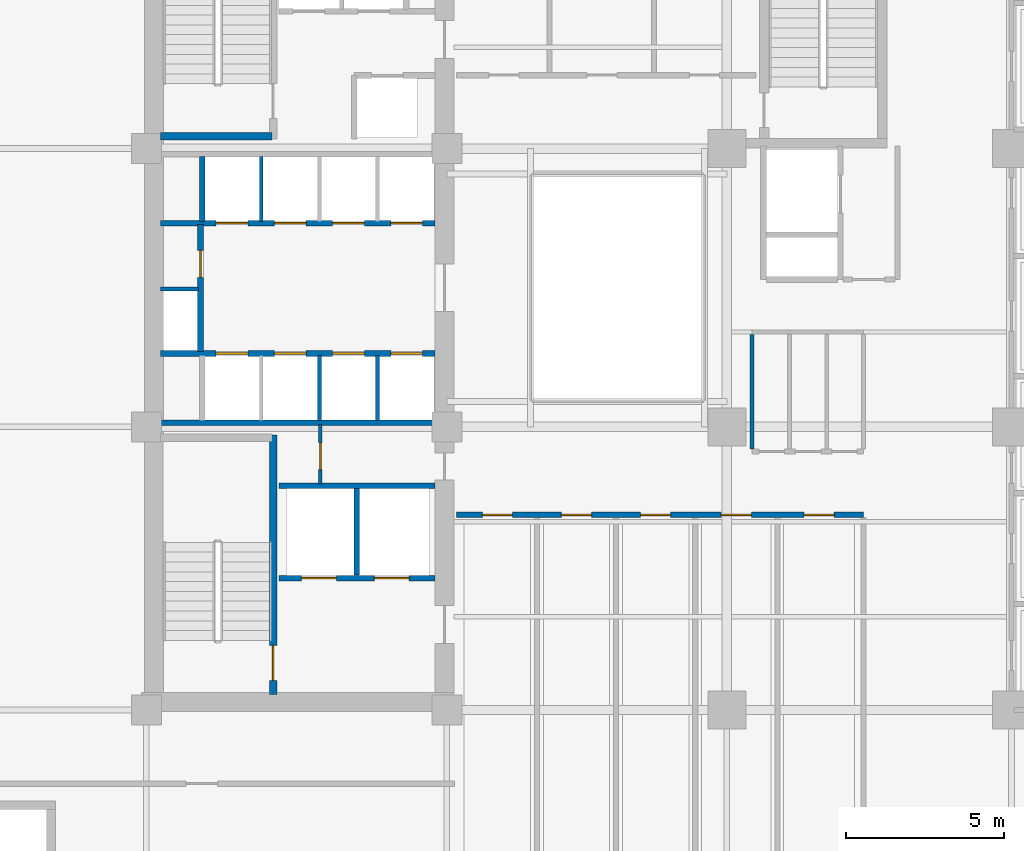
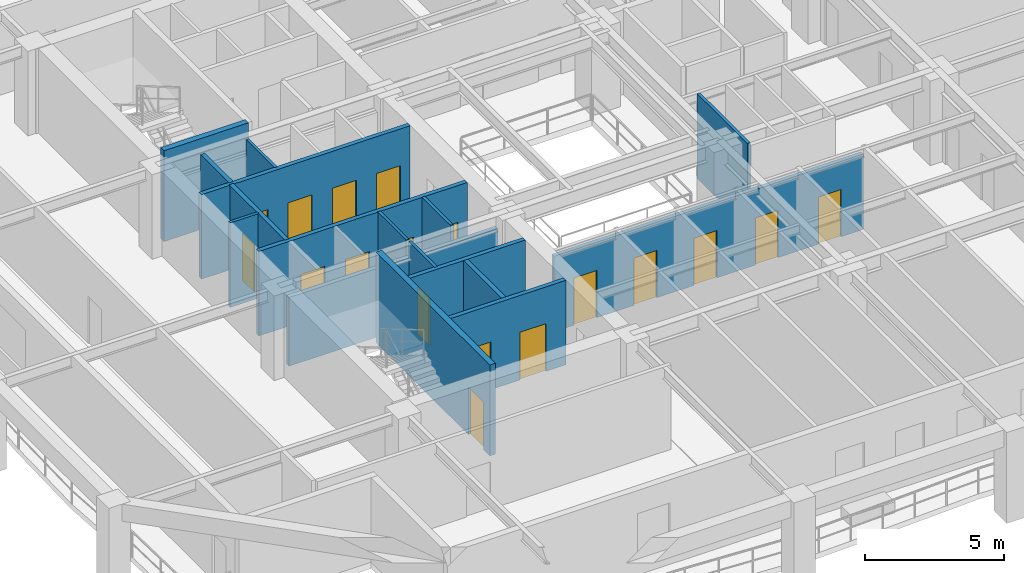
# One storey, part 3 of 13: 18 doors, 17 walls, 18 openings.
"""IFC4 building model written with IfcOpenShell, lengths in metres."""

from ifc_helpers import new_model, si_unit, direction, frame, frame_2d, origin, place, context, subcontext, project, spatial, rectangle, extrude, material, layer, layer_set, type_object, element, fill, save


model = new_model("IFC4")

# Units and contexts
model_context = context("Model", 3, precision=1e-05, world=origin(), true_north=direction((0.0, 1.0)))
body_context = subcontext(model_context, "Body", "Model", "MODEL_VIEW")
ifc_project = project(units=[si_unit("LENGTHUNIT", "METRE"), si_unit("AREAUNIT", "SQUARE_METRE"), si_unit("VOLUMEUNIT", "CUBIC_METRE"), si_unit("PLANEANGLEUNIT", "RADIAN"), si_unit("MASSUNIT", "GRAM", prefix="KILO")], contexts=[model_context])

# Site, building, storey
site_placement = place(None, origin())
site = spatial("IfcSite", under=ifc_project, at=site_placement, CompositionType="ELEMENT")
building_placement = place(site_placement, origin())
building = spatial("IfcBuilding", under=site, at=building_placement, Name="Kundavana Baori Tower", CompositionType="ELEMENT")
storey_placement = place(building_placement, frame((0.0, 0.0, 62.0)))
storey = spatial("IfcBuildingStorey", under=building, at=storey_placement, Name="L14", CompositionType="ELEMENT", Elevation=62.0)

# Wall, opening, door
ifc_material_1 = material(Name="Concrete C50/60", Category="concrete")
ifc_layer_1 = layer(ifc_material_1, 0.39990234375, Name="WL-CORE-400")
ifc_layer_set_1 = layer_set([ifc_layer_1], Name="Concrete C50/60")
wall_type_1 = type_object("IfcWallType", Name="WL-CORE-400", PredefinedType="SHEAR", material=ifc_layer_set_1)
wall_1_placement = place(storey_placement, frame((19.4599609375, 15.739990234375, 0.0), z_axis=(0.0, 0.0, 1.0), x_axis=(0.0, 1.0, 0.0)))
wall_1 = element("IfcWall", 1, at=wall_1_placement, inside=storey, type_object=wall_type_1, Name="WL-L14-ST1-E", PredefinedType="SHEAR", context=body_context, shape_type="SweptSolid", body=[
    extrude(rectangle(XDim=8.199951171875, YDim=0.239990234375, at=frame_2d((4.10009765625, 0.0))), origin(), (0.0, 0.0, 1.0), 4.0),
])
opening_1_placement = place(wall_1_placement, frame((0.449951171875, 0.0, 0.0)))
opening_1 = element("IfcOpeningElement", 2, at=opening_1_placement, cuts=wall_1, Name="Opening FD-110", PredefinedType="OPENING", context=body_context, shape_type="SweptSolid", body=[
    extrude(rectangle(XDim=1.10009765625, YDim=2.10009765625, at=frame_2d((0.550048828125, 1.050048828125))), frame((0.0, 0.1298828125, 0.0), z_axis=(0.0, -1.0, 0.0), x_axis=(1.0, 0.0, 0.0)), (0.0, 0.0, 1.0), 0.260009765625),
])
ifc_material_2 = material(Name="Galvanised Steel Fire-Rated Door Leaf", Category="steel")
door_type_1 = type_object("IfcDoorType", Name="DR-FD120-1100", OperationType="NOTDEFINED", PredefinedType="DOOR", material=ifc_material_2)
door_1_placement = place(opening_1_placement, origin())
door_1 = element("IfcDoor", 3, at=door_1_placement, inside=storey, type_object=door_type_1, Name="DR-L14-ST1", OperationType="SINGLE_SWING_LEFT", OverallHeight=2.10009765625, OverallWidth=1.10009765625, PredefinedType="DOOR", context=body_context, shape_type="SweptSolid", body=[
    extrude(rectangle(XDim=1.10009765625, YDim=2.10009765625, at=frame_2d((0.550048828125, 1.050048828125))), frame((0.0, 0.02490234375, 0.0), z_axis=(0.0, -1.0, 0.0), x_axis=(1.0, 0.0, 0.0)), (0.0, 0.0, 1.0), 0.050048828125),
])
fill(opening_1, door_1)

# Wall
wall_2_placement = place(storey_placement, frame((15.89990234375, 33.389892578125, 0.0), z_axis=(0.0, 0.0, 1.0), x_axis=(1.0, 0.0, 0.0)))
element("IfcWall", 4, at=wall_2_placement, inside=storey, type_object=wall_type_1, Name="WL-L14-ST2-S", PredefinedType="SHEAR", context=body_context, shape_type="SweptSolid", body=[
    extrude(rectangle(XDim=3.52001953125, YDim=0.239990234375, at=frame_2d((1.760009765625, 0.0))), origin(), (0.0, 0.0, 1.0), 4.0),
])

# Wall, opening, door
ifc_material_3 = material(Name="Acoustic Gypsum Plasterboard on Galvanised Steel Studs", Category="steel")
ifc_layer_2 = layer(ifc_material_3, 0.1201171875, Name="WL-PART-120")
ifc_layer_set_2 = layer_set([ifc_layer_2], Name="Acoustic Gypsum Plasterboard on Galvanised Steel Studs")
wall_type_2 = type_object("IfcWallType", Name="WL-PART-120", PredefinedType="PARTITIONING", material=ifc_layer_set_2)
wall_3_placement = place(storey_placement, frame((20.949951171875, 22.39990234375, 0.0), z_axis=(0.0, 0.0, 1.0), x_axis=(0.0, 1.0, 0.0)))
wall_3 = element("IfcWall", 5, at=wall_3_placement, inside=storey, type_object=wall_type_2, Name="WL-L14-CSMK-D2", PredefinedType="PARTITIONING", context=body_context, shape_type="SweptSolid", body=[
    extrude(rectangle(XDim=1.880126953125, YDim=0.1201171875, at=frame_2d((0.93994140625, 0.0))), origin(), (0.0, 0.0, 1.0), 3.719970703125),
])
opening_2_placement = place(wall_3_placement, frame((0.449951171875, 0.0, 0.0)))
opening_2 = element("IfcOpeningElement", 6, at=opening_2_placement, cuts=wall_3, Name="Opening FD-085", PredefinedType="OPENING", context=body_context, shape_type="SweptSolid", body=[
    extrude(rectangle(XDim=0.85009765625, YDim=2.06005859375, at=frame_2d((0.425048828125, 1.030029296875))), frame((0.0, 0.070068359375, 0.0), z_axis=(0.0, -1.0, 0.0), x_axis=(1.0, 0.0, 0.0)), (0.0, 0.0, 1.0), 0.14013671875),
])
ifc_material_4 = material(Name="Galvanised Steel Fire-Rated Door Leaf", Category="steel")
door_type_2 = type_object("IfcDoorType", Name="DR-FD60-850", OperationType="NOTDEFINED", PredefinedType="DOOR", material=ifc_material_4)
door_2_placement = place(opening_2_placement, origin())
door_2 = element("IfcDoor", 7, at=door_2_placement, inside=storey, type_object=door_type_2, Name="DR-L14-CSMK1", OperationType="SINGLE_SWING_RIGHT", OverallHeight=2.06005859375, OverallWidth=0.85009765625, PredefinedType="DOOR", context=body_context, shape_type="SweptSolid", body=[
    extrude(rectangle(XDim=0.85009765625, YDim=2.06005859375, at=frame_2d((0.425048828125, 1.030029296875))), frame((0.0, 0.02490234375, 0.0), z_axis=(0.0, -1.0, 0.0), x_axis=(1.0, 0.0, 0.0)), (0.0, 0.0, 1.0), 0.050048828125),
])
fill(opening_2, door_2)

# Walls
for number, where, z_axis, x_axis, name in (
    (8, (20.919921875, 24.39990234375, 0.0), (0.0, 0.0, 1.0), (0.0, 1.0, 0.0), "WL-L14-LPLOW-D2"),
    (9, (22.760009765625, 24.39990234375, 0.0), (0.0, 0.0, 1.0), (0.0, 1.0, 0.0), "WL-L14-LPLOW-D3"),
):
    element("IfcWall", number, at=place(storey_placement, frame(where, z_axis=z_axis, x_axis=x_axis)), inside=storey, type_object=wall_type_2, Name=name, PredefinedType="PARTITIONING", context=body_context, shape_type="SweptSolid", body=[
        extrude(rectangle(XDim=2.050048828125, YDim=0.1201171875, at=frame_2d((1.02490234375, 0.0))), origin(), (0.0, 0.0, 1.0), 3.719970703125),
    ])
wall_4_placement = place(storey_placement, frame((15.89990234375, 28.56005859375, 0.0), z_axis=(0.0, 0.0, 1.0), x_axis=(1.0, 0.0, 0.0)))
element("IfcWall", 10, at=wall_4_placement, inside=storey, type_object=wall_type_2, Name="WL-L14-RSRW-N", PredefinedType="PARTITIONING", context=body_context, shape_type="SweptSolid", body=[
    extrude(rectangle(XDim=1.2001953125, YDim=0.1201171875, at=frame_2d((0.60009765625, 0.0))), origin(), (0.0, 0.0, 1.0), 3.719970703125),
])
wall_5_placement = place(storey_placement, frame((19.080078125, 30.699951171875, 0.0), z_axis=(0.0, 0.0, 1.0), x_axis=(0.0, 1.0, 0.0)))
element("IfcWall", 11, at=wall_5_placement, inside=storey, type_object=wall_type_2, Name="WL-L14-LPMID-D1", PredefinedType="PARTITIONING", context=body_context, shape_type="SweptSolid", body=[
    extrude(rectangle(XDim=2.050048828125, YDim=0.1201171875, at=frame_2d((1.02490234375, 0.0))), origin(), (0.0, 0.0, 1.0), 3.719970703125),
])

# Wall, openings, doors
ifc_material_5 = material(Name="Fire-Rated Gypsum Drywall on Galvanised Steel Studs", Category="steel")
ifc_layer_3 = layer(ifc_material_5, 0.1650390625, Name="WL-PART-165")
ifc_layer_set_3 = layer_set([ifc_layer_3], Name="Fire-Rated Gypsum Drywall on Galvanised Steel Studs")
wall_type_3 = type_object("IfcWallType", Name="WL-PART-165", PredefinedType="PARTITIONING", material=ifc_layer_set_3)
wall_6_placement = place(storey_placement, frame((25.25, 21.419921875, 0.0), z_axis=(0.0, 0.0, 1.0), x_axis=(1.0, 0.0, 0.0)))
wall_6 = element("IfcWall", 12, at=wall_6_placement, inside=storey, type_object=wall_type_3, Name="WL-L14-OFS", PredefinedType="PARTITIONING", context=body_context, shape_type="SweptSolid", body=[
    extrude(rectangle(XDim=12.8701171875, YDim=0.1650390625, at=frame_2d((6.43505859375, 0.0))), origin(), (0.0, 0.0, 1.0), 3.320068359375),
])
opening_3_placement = place(wall_6_placement, frame((0.824951171875, 0.0, 0.0)))
opening_3 = element("IfcOpeningElement", 13, at=opening_3_placement, cuts=wall_6, Name="Opening ID-095", PredefinedType="OPENING", context=body_context, shape_type="SweptSolid", body=[
    extrude(rectangle(XDim=0.949951171875, YDim=2.080078125, at=frame_2d((0.47509765625, 1.0400390625))), frame((0.0, 0.092529296875, 0.0), z_axis=(0.0, -1.0, 0.0), x_axis=(1.0, 0.0, 0.0)), (0.0, 0.0, 1.0), 0.18505859375),
])
opening_4_placement = place(wall_6_placement, frame((3.324951171875, 0.0, 0.0)))
opening_4 = element("IfcOpeningElement", 14, at=opening_4_placement, cuts=wall_6, Name="Opening ID-095", PredefinedType="OPENING", context=body_context, shape_type="SweptSolid", body=[
    extrude(rectangle(XDim=0.949951171875, YDim=2.080078125, at=frame_2d((0.47509765625, 1.0400390625))), frame((0.0, 0.092529296875, 0.0), z_axis=(0.0, -1.0, 0.0), x_axis=(1.0, 0.0, 0.0)), (0.0, 0.0, 1.0), 0.18505859375),
])
opening_5_placement = place(wall_6_placement, frame((5.824951171875, 0.0, 0.0)))
opening_5 = element("IfcOpeningElement", 15, at=opening_5_placement, cuts=wall_6, Name="Opening ID-095", PredefinedType="OPENING", context=body_context, shape_type="SweptSolid", body=[
    extrude(rectangle(XDim=0.949951171875, YDim=2.080078125, at=frame_2d((0.47509765625, 1.0400390625))), frame((0.0, 0.092529296875, 0.0), z_axis=(0.0, -1.0, 0.0), x_axis=(1.0, 0.0, 0.0)), (0.0, 0.0, 1.0), 0.18505859375),
])
opening_6_placement = place(wall_6_placement, frame((8.375, 0.0, 0.0)))
opening_6 = element("IfcOpeningElement", 16, at=opening_6_placement, cuts=wall_6, Name="Opening ID-095", PredefinedType="OPENING", context=body_context, shape_type="SweptSolid", body=[
    extrude(rectangle(XDim=0.949951171875, YDim=2.080078125, at=frame_2d((0.47509765625, 1.0400390625))), frame((0.0, 0.092529296875, 0.0), z_axis=(0.0, -1.0, 0.0), x_axis=(1.0, 0.0, 0.0)), (0.0, 0.0, 1.0), 0.18505859375),
])
opening_7_placement = place(wall_6_placement, frame((10.9951171875, 0.0, 0.0)))
opening_7 = element("IfcOpeningElement", 17, at=opening_7_placement, cuts=wall_6, Name="Opening ID-095", PredefinedType="OPENING", context=body_context, shape_type="SweptSolid", body=[
    extrude(rectangle(XDim=0.949951171875, YDim=2.080078125, at=frame_2d((0.47509765625, 1.0400390625))), frame((0.0, 0.092529296875, 0.0), z_axis=(0.0, -1.0, 0.0), x_axis=(1.0, 0.0, 0.0)), (0.0, 0.0, 1.0), 0.18505859375),
])
ifc_material_6 = material(Name="Engineered Teak Solid-Core Timber Veneer", Category="wood")
door_type_3 = type_object("IfcDoorType", Name="DR-INT-950", OperationType="NOTDEFINED", PredefinedType="DOOR", material=ifc_material_6)
door_3_placement = place(opening_3_placement, frame((0.949951171875, 0.0, 0.0), z_axis=(0.0, 0.0, 1.0), x_axis=(-1.0, 0.0, 0.0)))
door_3 = element("IfcDoor", 18, at=door_3_placement, inside=storey, type_object=door_type_3, Name="DR-L14-OFS1", OperationType="SINGLE_SWING_LEFT", OverallHeight=2.080078125, OverallWidth=0.949951171875, PredefinedType="DOOR", context=body_context, shape_type="SweptSolid", body=[
    extrude(rectangle(XDim=0.949951171875, YDim=2.080078125, at=frame_2d((0.47509765625, 1.0400390625))), frame((0.0, 0.02490234375, 0.0), z_axis=(0.0, -1.0, 0.0), x_axis=(1.0, 0.0, 0.0)), (0.0, 0.0, 1.0), 0.050048828125),
])
fill(opening_3, door_3)
door_4_placement = place(opening_4_placement, frame((0.949951171875, 0.0, 0.0), z_axis=(0.0, 0.0, 1.0), x_axis=(-1.0, 0.0, 0.0)))
door_4 = element("IfcDoor", 19, at=door_4_placement, inside=storey, type_object=door_type_3, Name="DR-L14-OFS2", OperationType="SINGLE_SWING_RIGHT", OverallHeight=2.080078125, OverallWidth=0.949951171875, PredefinedType="DOOR", context=body_context, shape_type="SweptSolid", body=[
    extrude(rectangle(XDim=0.949951171875, YDim=2.080078125, at=frame_2d((0.47509765625, 1.0400390625))), frame((0.0, 0.02490234375, 0.0), z_axis=(0.0, -1.0, 0.0), x_axis=(1.0, 0.0, 0.0)), (0.0, 0.0, 1.0), 0.050048828125),
])
fill(opening_4, door_4)
door_5_placement = place(opening_5_placement, frame((0.949951171875, 0.0, 0.0), z_axis=(0.0, 0.0, 1.0), x_axis=(-1.0, 0.0, 0.0)))
door_5 = element("IfcDoor", 20, at=door_5_placement, inside=storey, type_object=door_type_3, Name="DR-L14-OFS3", OperationType="SINGLE_SWING_LEFT", OverallHeight=2.080078125, OverallWidth=0.949951171875, PredefinedType="DOOR", context=body_context, shape_type="SweptSolid", body=[
    extrude(rectangle(XDim=0.949951171875, YDim=2.080078125, at=frame_2d((0.47509765625, 1.0400390625))), frame((0.0, 0.02490234375, 0.0), z_axis=(0.0, -1.0, 0.0), x_axis=(1.0, 0.0, 0.0)), (0.0, 0.0, 1.0), 0.050048828125),
])
fill(opening_5, door_5)
door_6_placement = place(opening_6_placement, frame((0.949951171875, 0.0, 0.0), z_axis=(0.0, 0.0, 1.0), x_axis=(-1.0, 0.0, 0.0)))
door_6 = element("IfcDoor", 21, at=door_6_placement, inside=storey, type_object=door_type_3, Name="DR-L14-OFS4", OperationType="SINGLE_SWING_RIGHT", OverallHeight=2.080078125, OverallWidth=0.949951171875, PredefinedType="DOOR", context=body_context, shape_type="SweptSolid", body=[
    extrude(rectangle(XDim=0.949951171875, YDim=2.080078125, at=frame_2d((0.47509765625, 1.0400390625))), frame((0.0, 0.02490234375, 0.0), z_axis=(0.0, -1.0, 0.0), x_axis=(1.0, 0.0, 0.0)), (0.0, 0.0, 1.0), 0.050048828125),
])
fill(opening_6, door_6)
door_7_placement = place(opening_7_placement, frame((0.949951171875, 0.0, 0.0), z_axis=(0.0, 0.0, 1.0), x_axis=(-1.0, 0.0, 0.0)))
door_7 = element("IfcDoor", 22, at=door_7_placement, inside=storey, type_object=door_type_3, Name="DR-L14-OFS5", OperationType="SINGLE_SWING_LEFT", OverallHeight=2.080078125, OverallWidth=0.949951171875, PredefinedType="DOOR", context=body_context, shape_type="SweptSolid", body=[
    extrude(rectangle(XDim=0.949951171875, YDim=2.080078125, at=frame_2d((0.47509765625, 1.0400390625))), frame((0.0, 0.02490234375, 0.0), z_axis=(0.0, -1.0, 0.0), x_axis=(1.0, 0.0, 0.0)), (0.0, 0.0, 1.0), 0.050048828125),
])
fill(opening_7, door_7)

ifc_material_7 = material(Name="Autoclaved Aerated Concrete Blockwork Masonry", Category="masonry")
ifc_layer_4 = layer(ifc_material_7, 0.179931640625, Name="WL-SHAFT-180")
ifc_layer_set_4 = layer_set([ifc_layer_4], Name="Autoclaved Aerated Concrete Blockwork Masonry")
wall_type_4 = type_object("IfcWallType", Name="WL-SHAFT-180", PredefinedType="SOLIDWALL", material=ifc_layer_set_4)
wall_7_placement = place(storey_placement, frame((19.639892578125, 19.419921875, 0.0), z_axis=(0.0, 0.0, 1.0), x_axis=(1.0, 0.0, 0.0)))
wall_7 = element("IfcWall", 23, at=wall_7_placement, inside=storey, type_object=wall_type_4, Name="WL-L14-FFL-S", PredefinedType="SOLIDWALL", context=body_context, shape_type="SweptSolid", body=[
    extrude(rectangle(XDim=4.940185546875, YDim=0.179931640625, at=frame_2d((2.47021484375, 0.0))), origin(), (0.0, 0.0, 1.0), 3.719970703125),
])
opening_8_placement = place(wall_7_placement, frame((0.719970703125, 0.0, 0.0)))
opening_8 = element("IfcOpeningElement", 24, at=opening_8_placement, cuts=wall_7, Name="Opening LD-110", PredefinedType="OPENING", context=body_context, shape_type="SweptSolid", body=[
    extrude(rectangle(XDim=1.10009765625, YDim=2.10009765625, at=frame_2d((0.550048828125, 1.050048828125))), frame((0.0, 0.10009765625, 0.0), z_axis=(0.0, -1.0, 0.0), x_axis=(1.0, 0.0, 0.0)), (0.0, 0.0, 1.0), 0.199951171875),
])
opening_9_placement = place(wall_7_placement, frame((3.02001953125, 0.0, 0.0)))
opening_9 = element("IfcOpeningElement", 25, at=opening_9_placement, cuts=wall_7, Name="Opening LD-110", PredefinedType="OPENING", context=body_context, shape_type="SweptSolid", body=[
    extrude(rectangle(XDim=1.10009765625, YDim=2.10009765625, at=frame_2d((0.550048828125, 1.050048828125))), frame((0.0, 0.10009765625, 0.0), z_axis=(0.0, -1.0, 0.0), x_axis=(1.0, 0.0, 0.0)), (0.0, 0.0, 1.0), 0.199951171875),
])
ifc_material_8 = material(Name="Galvanised Steel Fire-Rated Door Leaf", Category="steel")
door_type_4 = type_object("IfcDoorType", Name="DR-SLIDE-LD1100", OperationType="NOTDEFINED", PredefinedType="DOOR", material=ifc_material_8)
door_8_placement = place(opening_8_placement, origin())
door_8 = element("IfcDoor", 26, at=door_8_placement, inside=storey, type_object=door_type_4, Name="DR-L14-LD-FFL-1", OperationType="DOUBLE_DOOR_SLIDING", OverallHeight=2.10009765625, OverallWidth=1.10009765625, PredefinedType="DOOR", context=body_context, shape_type="SweptSolid", body=[
    extrude(rectangle(XDim=1.10009765625, YDim=2.10009765625, at=frame_2d((0.550048828125, 1.050048828125))), frame((0.0, 0.02490234375, 0.0), z_axis=(0.0, -1.0, 0.0), x_axis=(1.0, 0.0, 0.0)), (0.0, 0.0, 1.0), 0.050048828125),
])
fill(opening_8, door_8)
door_9_placement = place(opening_9_placement, origin())
door_9 = element("IfcDoor", 27, at=door_9_placement, inside=storey, type_object=door_type_4, Name="DR-L14-LD-FFL-2", OperationType="DOUBLE_DOOR_SLIDING", OverallHeight=2.10009765625, OverallWidth=1.10009765625, PredefinedType="DOOR", context=body_context, shape_type="SweptSolid", body=[
    extrude(rectangle(XDim=1.10009765625, YDim=2.10009765625, at=frame_2d((0.550048828125, 1.050048828125))), frame((0.0, 0.02490234375, 0.0), z_axis=(0.0, -1.0, 0.0), x_axis=(1.0, 0.0, 0.0)), (0.0, 0.0, 1.0), 0.050048828125),
])
fill(opening_9, door_9)

# Walls
wall_8_placement = place(storey_placement, frame((22.10009765625, 19.510009765625, 0.0), z_axis=(0.0, 0.0, 1.0), x_axis=(0.0, 1.0, 0.0)))
element("IfcWall", 28, at=wall_8_placement, inside=storey, type_object=wall_type_4, Name="WL-L14-FFL-MID", PredefinedType="SOLIDWALL", context=body_context, shape_type="SweptSolid", body=[
    extrude(rectangle(XDim=2.739990234375, YDim=0.179931640625, at=frame_2d((1.3701171875, 0.0))), origin(), (0.0, 0.0, 1.0), 3.719970703125),
])
wall_9_placement = place(storey_placement, frame((19.639892578125, 22.340087890625, 0.0), z_axis=(0.0, 0.0, 1.0), x_axis=(1.0, 0.0, 0.0)))
element("IfcWall", 29, at=wall_9_placement, inside=storey, type_object=wall_type_4, Name="WL-L14-FFL-N", PredefinedType="SOLIDWALL", context=body_context, shape_type="SweptSolid", body=[
    extrude(rectangle(XDim=4.940185546875, YDim=0.179931640625, at=frame_2d((2.47021484375, 0.0))), origin(), (0.0, 0.0, 1.0), 3.719970703125),
])

# Wall, openings, doors
wall_10_placement = place(storey_placement, frame((15.89990234375, 26.52001953125, 0.0), z_axis=(0.0, 0.0, 1.0), x_axis=(1.0, 0.0, 0.0)))
wall_10 = element("IfcWall", 30, at=wall_10_placement, inside=storey, type_object=wall_type_4, Name="WL-L14-LPLOW-N", PredefinedType="SOLIDWALL", context=body_context, shape_type="SweptSolid", body=[
    extrude(rectangle(XDim=8.68017578125, YDim=0.179931640625, at=frame_2d((4.340087890625, 0.0))), origin(), (0.0, 0.0, 1.0), 3.719970703125),
])
opening_10_placement = place(wall_10_placement, frame((1.760009765625, 0.0, 0.0)))
opening_10 = element("IfcOpeningElement", 31, at=opening_10_placement, cuts=wall_10, Name="Opening LD-100", PredefinedType="OPENING", context=body_context, shape_type="SweptSolid", body=[
    extrude(rectangle(XDim=1.0, YDim=2.10009765625, at=frame_2d((0.5, 1.050048828125))), frame((0.0, 0.10009765625, 0.0), z_axis=(0.0, -1.0, 0.0), x_axis=(1.0, 0.0, 0.0)), (0.0, 0.0, 1.0), 0.199951171875),
])
opening_11_placement = place(wall_10_placement, frame((3.60009765625, 0.0, 0.0)))
opening_11 = element("IfcOpeningElement", 32, at=opening_11_placement, cuts=wall_10, Name="Opening LD-100", PredefinedType="OPENING", context=body_context, shape_type="SweptSolid", body=[
    extrude(rectangle(XDim=1.0, YDim=2.10009765625, at=frame_2d((0.5, 1.050048828125))), frame((0.0, 0.10009765625, 0.0), z_axis=(0.0, -1.0, 0.0), x_axis=(1.0, 0.0, 0.0)), (0.0, 0.0, 1.0), 0.199951171875),
])
opening_12_placement = place(wall_10_placement, frame((5.43994140625, 0.0, 0.0)))
opening_12 = element("IfcOpeningElement", 33, at=opening_12_placement, cuts=wall_10, Name="Opening LD-100", PredefinedType="OPENING", context=body_context, shape_type="SweptSolid", body=[
    extrude(rectangle(XDim=1.0, YDim=2.10009765625, at=frame_2d((0.5, 1.050048828125))), frame((0.0, 0.10009765625, 0.0), z_axis=(0.0, -1.0, 0.0), x_axis=(1.0, 0.0, 0.0)), (0.0, 0.0, 1.0), 0.199951171875),
])
opening_13_placement = place(wall_10_placement, frame((7.280029296875, 0.0, 0.0)))
opening_13 = element("IfcOpeningElement", 34, at=opening_13_placement, cuts=wall_10, Name="Opening LD-100", PredefinedType="OPENING", context=body_context, shape_type="SweptSolid", body=[
    extrude(rectangle(XDim=1.0, YDim=2.10009765625, at=frame_2d((0.5, 1.050048828125))), frame((0.0, 0.10009765625, 0.0), z_axis=(0.0, -1.0, 0.0), x_axis=(1.0, 0.0, 0.0)), (0.0, 0.0, 1.0), 0.199951171875),
])
ifc_material_9 = material(Name="Galvanised Steel Fire-Rated Door Leaf", Category="steel")
door_type_5 = type_object("IfcDoorType", Name="DR-SLIDE-LD1000", OperationType="NOTDEFINED", PredefinedType="DOOR", material=ifc_material_9)
door_10_placement = place(opening_10_placement, origin())
door_10 = element("IfcDoor", 35, at=door_10_placement, inside=storey, type_object=door_type_5, Name="DR-L14-LD-LP-01", OperationType="DOUBLE_DOOR_SLIDING", OverallHeight=2.10009765625, OverallWidth=1.0, PredefinedType="DOOR", context=body_context, shape_type="SweptSolid", body=[
    extrude(rectangle(XDim=1.0, YDim=2.10009765625, at=frame_2d((0.5, 1.050048828125))), frame((0.0, 0.02490234375, 0.0), z_axis=(0.0, -1.0, 0.0), x_axis=(1.0, 0.0, 0.0)), (0.0, 0.0, 1.0), 0.050048828125),
])
fill(opening_10, door_10)
door_11_placement = place(opening_11_placement, origin())
door_11 = element("IfcDoor", 36, at=door_11_placement, inside=storey, type_object=door_type_5, Name="DR-L14-LD-LP-02", OperationType="DOUBLE_DOOR_SLIDING", OverallHeight=2.10009765625, OverallWidth=1.0, PredefinedType="DOOR", context=body_context, shape_type="SweptSolid", body=[
    extrude(rectangle(XDim=1.0, YDim=2.10009765625, at=frame_2d((0.5, 1.050048828125))), frame((0.0, 0.02490234375, 0.0), z_axis=(0.0, -1.0, 0.0), x_axis=(1.0, 0.0, 0.0)), (0.0, 0.0, 1.0), 0.050048828125),
])
fill(opening_11, door_11)
door_12_placement = place(opening_12_placement, origin())
door_12 = element("IfcDoor", 37, at=door_12_placement, inside=storey, type_object=door_type_5, Name="DR-L14-LD-LP-03", OperationType="DOUBLE_DOOR_SLIDING", OverallHeight=2.10009765625, OverallWidth=1.0, PredefinedType="DOOR", context=body_context, shape_type="SweptSolid", body=[
    extrude(rectangle(XDim=1.0, YDim=2.10009765625, at=frame_2d((0.5, 1.050048828125))), frame((0.0, 0.02490234375, 0.0), z_axis=(0.0, -1.0, 0.0), x_axis=(1.0, 0.0, 0.0)), (0.0, 0.0, 1.0), 0.050048828125),
])
fill(opening_12, door_12)
door_13_placement = place(opening_13_placement, origin())
door_13 = element("IfcDoor", 38, at=door_13_placement, inside=storey, type_object=door_type_5, Name="DR-L14-LD-LP-04", OperationType="DOUBLE_DOOR_SLIDING", OverallHeight=2.10009765625, OverallWidth=1.0, PredefinedType="DOOR", context=body_context, shape_type="SweptSolid", body=[
    extrude(rectangle(XDim=1.0, YDim=2.10009765625, at=frame_2d((0.5, 1.050048828125))), frame((0.0, 0.02490234375, 0.0), z_axis=(0.0, -1.0, 0.0), x_axis=(1.0, 0.0, 0.0)), (0.0, 0.0, 1.0), 0.050048828125),
])
fill(opening_13, door_13)

# Wall
wall_11_placement = place(storey_placement, frame((15.89990234375, 24.330078125, 0.0), z_axis=(0.0, 0.0, 1.0), x_axis=(1.0, 0.0, 0.0)))
element("IfcWall", 39, at=wall_11_placement, inside=storey, type_object=wall_type_4, Name="WL-L14-LPLOW-S", PredefinedType="SOLIDWALL", context=body_context, shape_type="SweptSolid", body=[
    extrude(rectangle(XDim=8.68017578125, YDim=0.179931640625, at=frame_2d((4.340087890625, 0.0))), origin(), (0.0, 0.0, 1.0), 3.02001953125),
])

# Wall, opening, door
wall_12_placement = place(storey_placement, frame((17.159912109375, 26.580078125, 0.0), z_axis=(0.0, 0.0, 1.0), x_axis=(0.0, 1.0, 0.0)))
wall_12 = element("IfcWall", 40, at=wall_12_placement, inside=storey, type_object=wall_type_4, Name="WL-L14-RSRW-E", PredefinedType="SOLIDWALL", context=body_context, shape_type="SweptSolid", body=[
    extrude(rectangle(XDim=4.02001953125, YDim=0.179931640625, at=frame_2d((2.010009765625, 0.0))), origin(), (0.0, 0.0, 1.0), 3.719970703125),
])
opening_14_placement = place(wall_12_placement, frame((2.35009765625, 0.0, 0.0)))
opening_14 = element("IfcOpeningElement", 41, at=opening_14_placement, cuts=wall_12, Name="Opening FD-085", PredefinedType="OPENING", context=body_context, shape_type="SweptSolid", body=[
    extrude(rectangle(XDim=0.85009765625, YDim=2.06005859375, at=frame_2d((0.425048828125, 1.030029296875))), frame((0.0, 0.10009765625, 0.0), z_axis=(0.0, -1.0, 0.0), x_axis=(1.0, 0.0, 0.0)), (0.0, 0.0, 1.0), 0.199951171875),
])
door_14_placement = place(opening_14_placement, origin())
door_14 = element("IfcDoor", 42, at=door_14_placement, inside=storey, type_object=door_type_2, Name="DR-L14-CLN", OperationType="SINGLE_SWING_RIGHT", OverallHeight=2.06005859375, OverallWidth=0.85009765625, PredefinedType="DOOR", context=body_context, shape_type="SweptSolid", body=[
    extrude(rectangle(XDim=0.85009765625, YDim=2.06005859375, at=frame_2d((0.425048828125, 1.030029296875))), frame((0.0, 0.02490234375, 0.0), z_axis=(0.0, -1.0, 0.0), x_axis=(1.0, 0.0, 0.0)), (0.0, 0.0, 1.0), 0.050048828125),
])
fill(opening_14, door_14)

# Wall, openings, doors
wall_13_placement = place(storey_placement, frame((15.89990234375, 30.639892578125, 0.0), z_axis=(0.0, 0.0, 1.0), x_axis=(1.0, 0.0, 0.0)))
wall_13 = element("IfcWall", 43, at=wall_13_placement, inside=storey, type_object=wall_type_4, Name="WL-L14-LPMID-S", PredefinedType="SOLIDWALL", context=body_context, shape_type="SweptSolid", body=[
    extrude(rectangle(XDim=8.68017578125, YDim=0.179931640625, at=frame_2d((4.340087890625, 0.0))), origin(), (0.0, 0.0, 1.0), 3.719970703125),
])
opening_15_placement = place(wall_13_placement, frame((1.760009765625, 0.0, 0.0)))
opening_15 = element("IfcOpeningElement", 44, at=opening_15_placement, cuts=wall_13, Name="Opening LD-100", PredefinedType="OPENING", context=body_context, shape_type="SweptSolid", body=[
    extrude(rectangle(XDim=1.0, YDim=2.10009765625, at=frame_2d((0.5, 1.050048828125))), frame((0.0, 0.10009765625, 0.0), z_axis=(0.0, -1.0, 0.0), x_axis=(1.0, 0.0, 0.0)), (0.0, 0.0, 1.0), 0.199951171875),
])
opening_16_placement = place(wall_13_placement, frame((3.60009765625, 0.0, 0.0)))
opening_16 = element("IfcOpeningElement", 45, at=opening_16_placement, cuts=wall_13, Name="Opening LD-100", PredefinedType="OPENING", context=body_context, shape_type="SweptSolid", body=[
    extrude(rectangle(XDim=1.0, YDim=2.10009765625, at=frame_2d((0.5, 1.050048828125))), frame((0.0, 0.10009765625, 0.0), z_axis=(0.0, -1.0, 0.0), x_axis=(1.0, 0.0, 0.0)), (0.0, 0.0, 1.0), 0.199951171875),
])
opening_17_placement = place(wall_13_placement, frame((5.43994140625, 0.0, 0.0)))
opening_17 = element("IfcOpeningElement", 46, at=opening_17_placement, cuts=wall_13, Name="Opening LD-100", PredefinedType="OPENING", context=body_context, shape_type="SweptSolid", body=[
    extrude(rectangle(XDim=1.0, YDim=2.10009765625, at=frame_2d((0.5, 1.050048828125))), frame((0.0, 0.10009765625, 0.0), z_axis=(0.0, -1.0, 0.0), x_axis=(1.0, 0.0, 0.0)), (0.0, 0.0, 1.0), 0.199951171875),
])
opening_18_placement = place(wall_13_placement, frame((7.280029296875, 0.0, 0.0)))
opening_18 = element("IfcOpeningElement", 47, at=opening_18_placement, cuts=wall_13, Name="Opening LD-100", PredefinedType="OPENING", context=body_context, shape_type="SweptSolid", body=[
    extrude(rectangle(XDim=1.0, YDim=2.10009765625, at=frame_2d((0.5, 1.050048828125))), frame((0.0, 0.10009765625, 0.0), z_axis=(0.0, -1.0, 0.0), x_axis=(1.0, 0.0, 0.0)), (0.0, 0.0, 1.0), 0.199951171875),
])
door_15_placement = place(opening_15_placement, frame((1.0, 0.0, 0.0), z_axis=(0.0, 0.0, 1.0), x_axis=(-1.0, 0.0, 0.0)))
door_15 = element("IfcDoor", 48, at=door_15_placement, inside=storey, type_object=door_type_5, Name="DR-L14-LD-LP-05", OperationType="DOUBLE_DOOR_SLIDING", OverallHeight=2.10009765625, OverallWidth=1.0, PredefinedType="DOOR", context=body_context, shape_type="SweptSolid", body=[
    extrude(rectangle(XDim=1.0, YDim=2.10009765625, at=frame_2d((0.5, 1.050048828125))), frame((0.0, 0.02490234375, 0.0), z_axis=(0.0, -1.0, 0.0), x_axis=(1.0, 0.0, 0.0)), (0.0, 0.0, 1.0), 0.050048828125),
])
fill(opening_15, door_15)
door_16_placement = place(opening_16_placement, frame((1.0, 0.0, 0.0), z_axis=(0.0, 0.0, 1.0), x_axis=(-1.0, 0.0, 0.0)))
door_16 = element("IfcDoor", 49, at=door_16_placement, inside=storey, type_object=door_type_5, Name="DR-L14-LD-LP-06", OperationType="DOUBLE_DOOR_SLIDING", OverallHeight=2.10009765625, OverallWidth=1.0, PredefinedType="DOOR", context=body_context, shape_type="SweptSolid", body=[
    extrude(rectangle(XDim=1.0, YDim=2.10009765625, at=frame_2d((0.5, 1.050048828125))), frame((0.0, 0.02490234375, 0.0), z_axis=(0.0, -1.0, 0.0), x_axis=(1.0, 0.0, 0.0)), (0.0, 0.0, 1.0), 0.050048828125),
])
fill(opening_16, door_16)
door_17_placement = place(opening_17_placement, frame((1.0, 0.0, 0.0), z_axis=(0.0, 0.0, 1.0), x_axis=(-1.0, 0.0, 0.0)))
door_17 = element("IfcDoor", 50, at=door_17_placement, inside=storey, type_object=door_type_5, Name="DR-L14-LD-LP-07", OperationType="DOUBLE_DOOR_SLIDING", OverallHeight=2.10009765625, OverallWidth=1.0, PredefinedType="DOOR", context=body_context, shape_type="SweptSolid", body=[
    extrude(rectangle(XDim=1.0, YDim=2.10009765625, at=frame_2d((0.5, 1.050048828125))), frame((0.0, 0.02490234375, 0.0), z_axis=(0.0, -1.0, 0.0), x_axis=(1.0, 0.0, 0.0)), (0.0, 0.0, 1.0), 0.050048828125),
])
fill(opening_17, door_17)
door_18_placement = place(opening_18_placement, frame((1.0, 0.0, 0.0), z_axis=(0.0, 0.0, 1.0), x_axis=(-1.0, 0.0, 0.0)))
door_18 = element("IfcDoor", 51, at=door_18_placement, inside=storey, type_object=door_type_5, Name="DR-L14-LD-LP-08", OperationType="DOUBLE_DOOR_SLIDING", OverallHeight=2.10009765625, OverallWidth=1.0, PredefinedType="DOOR", context=body_context, shape_type="SweptSolid", body=[
    extrude(rectangle(XDim=1.0, YDim=2.10009765625, at=frame_2d((0.5, 1.050048828125))), frame((0.0, 0.02490234375, 0.0), z_axis=(0.0, -1.0, 0.0), x_axis=(1.0, 0.0, 0.0)), (0.0, 0.0, 1.0), 0.050048828125),
])
fill(opening_18, door_18)

# Walls
wall_14_placement = place(storey_placement, frame((17.219970703125, 30.699951171875, 0.0), z_axis=(0.0, 0.0, 1.0), x_axis=(0.0, 1.0, 0.0)))
element("IfcWall", 52, at=wall_14_placement, inside=storey, type_object=wall_type_4, Name="WL-L14-LPMID-W", PredefinedType="SOLIDWALL", context=body_context, shape_type="SweptSolid", body=[
    extrude(rectangle(XDim=2.050048828125, YDim=0.179931640625, at=frame_2d((1.02490234375, 0.0))), origin(), (0.0, 0.0, 1.0), 3.719970703125),
])
ifc_material_10 = material(Name="Autoclaved Aerated Concrete Blockwork Masonry", Category="masonry")
ifc_layer_5 = layer(ifc_material_10, 0.125, Name="WL-WET-120")
ifc_layer_set_5 = layer_set([ifc_layer_5], Name="Autoclaved Aerated Concrete Blockwork Masonry")
wall_type_5 = type_object("IfcWallType", Name="WL-WET-120", PredefinedType="PLUMBINGWALL", material=ifc_layer_set_5)
wall_15_placement = place(storey_placement, frame((34.60009765625, 23.5, 0.0), z_axis=(0.0, 0.0, 1.0), x_axis=(0.0, 1.0, 0.0)))
element("IfcWall", 53, at=wall_15_placement, inside=storey, type_object=wall_type_5, Name="WL-L14-WCW", PredefinedType="PLUMBINGWALL", context=body_context, shape_type="SweptSolid", body=[
    extrude(rectangle(XDim=3.6201171875, YDim=0.125, at=frame_2d((1.81005859375, 0.0))), origin(), (0.0, 0.0, 1.0), 3.719970703125),
])

save(model, "model.ifc")
